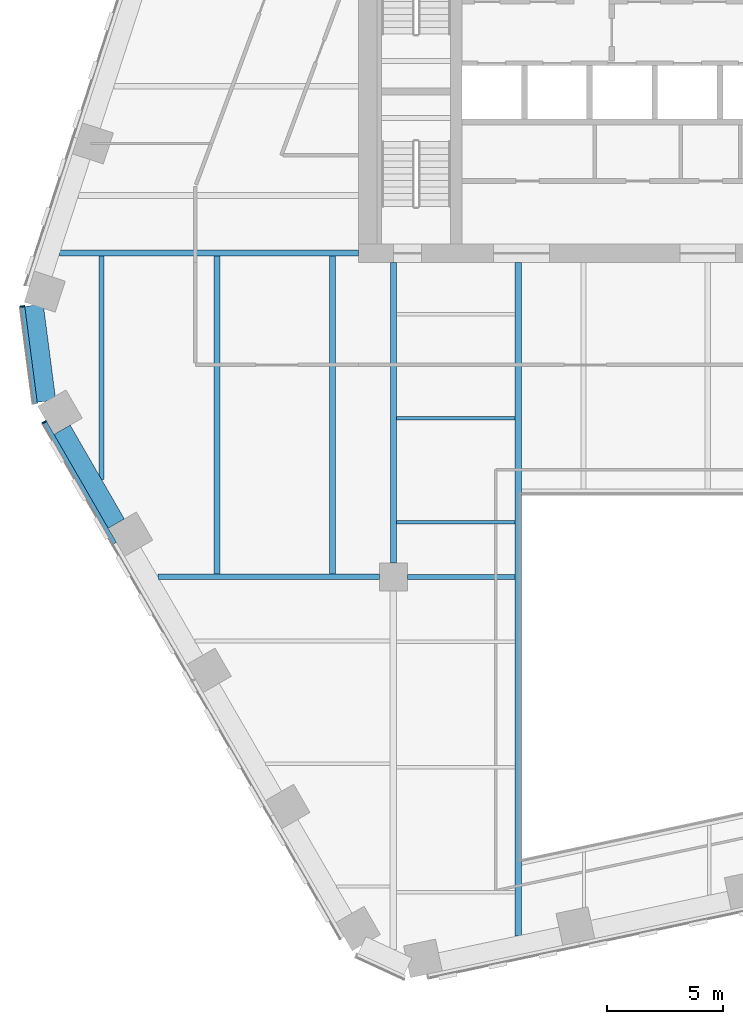
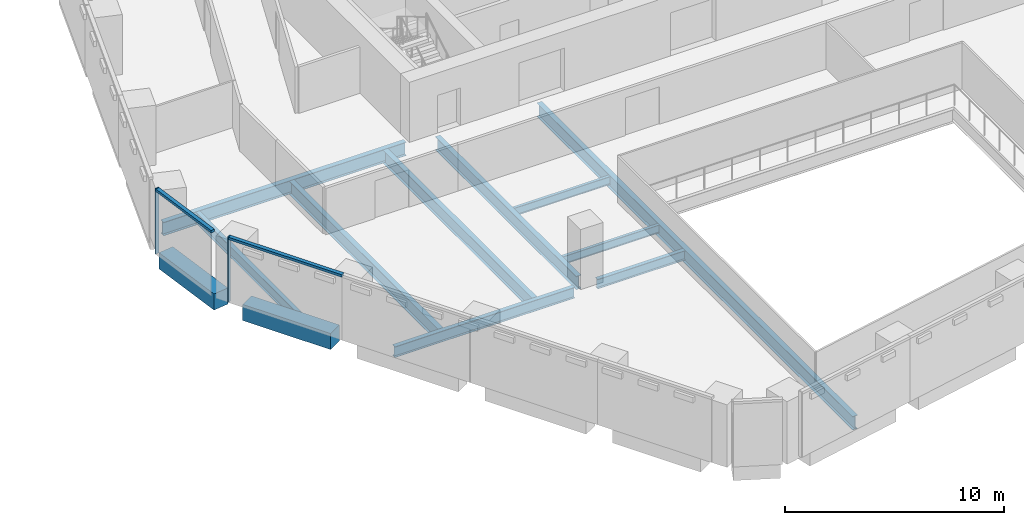
# One storey, part 3 of 17: 12 beams, 4 members, 2 elements without a shape of their own.
"""IFC4 building model written with IfcOpenShell, lengths in metres."""

from ifc_helpers import new_model, si_unit, direction, frame, origin, origin_2d, place, context, subcontext, project, spatial, rectangle, i_section, extrude, material, layer, layer_set, material_profile, profile_set, type_object, element, aggregate, save


model = new_model("IFC4")

# Units and contexts
model_context = context("Model", 3, precision=1e-05, world=origin(), true_north=direction((0.0, 1.0)))
body_context = subcontext(model_context, "Body", "Model", "MODEL_VIEW")
ifc_project = project(units=[si_unit("LENGTHUNIT", "METRE"), si_unit("AREAUNIT", "SQUARE_METRE"), si_unit("VOLUMEUNIT", "CUBIC_METRE"), si_unit("PLANEANGLEUNIT", "RADIAN"), si_unit("MASSUNIT", "GRAM", prefix="KILO")], contexts=[model_context])

# Site, building, storey
site_placement = place(None, origin())
site = spatial("IfcSite", under=ifc_project, at=site_placement, CompositionType="ELEMENT")
building_placement = place(site_placement, origin())
building = spatial("IfcBuilding", under=site, at=building_placement, Name="Isthmus Gate Tower", CompositionType="ELEMENT")
storey_placement = place(building_placement, frame((0.0, 0.0, 162.64990234375)))
storey = spatial("IfcBuildingStorey", under=building, at=storey_placement, Name="L40", CompositionType="ELEMENT", Elevation=162.64990234375)

# Curtain wall, member
ifc_material_1 = material(Name="Aluminium, pale champagne anodised", Category="aluminium")
ifc_layer = layer(ifc_material_1, 0.199951171875)
ifc_layer_set = layer_set([ifc_layer], Name="CW-1 UNITISED CURTAIN WALL 200 DEEP")
curtain_wall_type = type_object("IfcCurtainWallType", Name="CW-1 UNITISED CURTAIN WALL 200 DEEP", PredefinedType="NOTDEFINED", material=ifc_layer_set)
curtain_wall_1_placement = place(storey_placement, origin())
curtain_wall_1 = element("IfcCurtainWall", 1, at=curtain_wall_1_placement, inside=storey, type_object=curtain_wall_type, Name="CW-1 NW-SW L40", PredefinedType="NOTDEFINED")
ifc_material_2 = material(Name="Aluminium, pale champagne anodised", Category="aluminium")
ifc_material_profile_1 = material_profile(ifc_material_2, rectangle(XDim=0.06005859375, YDim=0.199951171875, at=origin_2d()), Name="60x200")
ifc_profile_set_1 = profile_set([ifc_material_profile_1], Name="Aluminium, pale champagne anodised")
member_type_1 = type_object("IfcMemberType", Name="CW-1 MULLION 60 X 200", PredefinedType="MULLION", material=ifc_profile_set_1)
member_1_placement = place(storey_placement, frame((-29.42724609375, -1.88525390625, 0.0), z_axis=(0.0, 0.0, 1.0), x_axis=(0.129164534, -0.991623175988, 0.0)))
member_1 = element("IfcMember", 2, at=member_1_placement, type_object=member_type_1, Name="CW-1 mullion", PredefinedType="MULLION", context=body_context, shape_type="SweptSolid", body=[
    extrude(rectangle(XDim=0.06005859375, YDim=0.199951171875, at=origin_2d()), origin(), (0.0, 0.0, 1.0), 3.650146484375),
])

curtain_wall_2_placement = place(storey_placement, origin())
curtain_wall_2 = element("IfcCurtainWall", 3, at=curtain_wall_2_placement, inside=storey, type_object=curtain_wall_type, Name="CW-1 SW L40", PredefinedType="NOTDEFINED")
member_2_placement = place(storey_placement, frame((-28.489501953125, -6.8544921875, 0.0), z_axis=(0.0, 0.0, 1.0), x_axis=(0.5, -0.866025403784, 0.0)))
member_2 = element("IfcMember", 4, at=member_2_placement, type_object=member_type_1, Name="CW-1 mullion", PredefinedType="MULLION", context=body_context, shape_type="SweptSolid", body=[
    extrude(rectangle(XDim=0.06005859375, YDim=0.199951171875, at=origin_2d()), origin(), (0.0, 0.0, 1.0), 3.650146484375),
])

# Member
ifc_material_3 = material(Name="Aluminium, pale champagne anodised", Category="aluminium")
ifc_material_profile_2 = material_profile(ifc_material_3, rectangle(XDim=0.199951171875, YDim=0.139892578125, at=origin_2d()), Name="200x140")
ifc_profile_set_2 = profile_set([ifc_material_profile_2], Name="Aluminium, pale champagne anodised")
member_type_2 = type_object("IfcMemberType", Name="CW-1 TRANSOM 200 X 140", PredefinedType="USERDEFINED", material=ifc_profile_set_2)
member_3_placement = place(storey_placement, frame((-29.42333984375, -1.9150390625, 3.580078125), z_axis=(0.129149481977, -0.991625136483, 0.0), x_axis=(0.991625136483, 0.129149481977, 0.0)))
member_3 = element("IfcMember", 5, at=member_3_placement, type_object=member_type_2, Name="CW-1 transom", ObjectType="TRANSOM", PredefinedType="USERDEFINED", context=body_context, shape_type="SweptSolid", body=[
    extrude(rectangle(XDim=0.199951171875, YDim=0.139892578125, at=origin_2d()), origin(), (0.0, 0.0, 1.0), 4.181396484375),
])

aggregate(curtain_wall_1, [member_1, member_3])

member_4_placement = place(storey_placement, frame((-28.474609375, -6.880615234375, 3.580078125), z_axis=(0.500014106551, -0.86601725921, 0.0), x_axis=(0.86601725921, 0.500014106551, 0.0)))
member_4 = element("IfcMember", 6, at=member_4_placement, type_object=member_type_2, Name="CW-1 transom", ObjectType="TRANSOM", PredefinedType="USERDEFINED", context=body_context, shape_type="SweptSolid", body=[
    extrude(rectangle(XDim=0.199951171875, YDim=0.139892578125, at=origin_2d()), origin(), (0.0, 0.0, 1.0), 5.989990234375),
])

aggregate(curtain_wall_2, [member_2, member_4])

# Beams
ifc_material_4 = material(Name="Concrete f'c 60 MPa", Category="concrete")
ifc_material_profile_3 = material_profile(ifc_material_4, rectangle(XDim=0.800048828125, YDim=0.89990234375, at=origin_2d()), Name="RC 800X900")
ifc_profile_set_3 = profile_set([ifc_material_profile_3], Name="Concrete f'c 60 MPa")
beam_type_1 = type_object("IfcBeamType", Name="RC SPANDREL 800 X 900", PredefinedType="SPANDREL", material=ifc_profile_set_3)
beam_1_placement = place(storey_placement, frame((-25.396484375, -11.2119140625, -0.449951171875), z_axis=(-0.500023913295, 0.866011596997, 0.0), x_axis=(-0.866011596997, -0.500023913295, 0.0)))
element("IfcBeam", 7, at=beam_1_placement, inside=storey, type_object=beam_type_1, Name="str-spandrel-L40-19", PredefinedType="SPANDREL", context=body_context, shape_type="SweptSolid", body=[
    extrude(rectangle(XDim=0.800048828125, YDim=0.89990234375, at=origin_2d()), origin(), (0.0, 0.0, 1.0), 4.650146484375),
])
beam_2_placement = place(storey_placement, frame((-28.392822265625, -5.955810546875, -0.449951171875), z_axis=(-0.129170777359, 0.991622362735, 0.0), x_axis=(-0.991622362735, -0.129170777359, 0.0)))
element("IfcBeam", 8, at=beam_2_placement, inside=storey, type_object=beam_type_1, Name="str-spandrel-L40-20", PredefinedType="SPANDREL", context=body_context, shape_type="SweptSolid", body=[
    extrude(rectangle(XDim=0.800048828125, YDim=0.89990234375, at=origin_2d()), origin(), (0.0, 0.0, 1.0), 4.15234375),
])
ifc_material_5 = material(Name="Structural steel ASTM A992 Gr 50", Category="steel")
ifc_material_profile_4 = material_profile(ifc_material_5, i_section(OverallWidth=0.15234375, OverallDepth=0.45068359375, WebThickness=0.0078125, FlangeThickness=0.010986328125, at=origin_2d()), Name="W18X35")
ifc_profile_set_4 = profile_set([ifc_material_profile_4], Name="Structural steel ASTM A992 Gr 50")
beam_type_2 = type_object("IfcBeamType", Name="STEEL FLOOR BEAM W18X35", PredefinedType="JOIST", material=ifc_profile_set_4)
for number, where, z_axis, x_axis, name in (
    (9, (-13.3681640625, -11.16259765625, -0.375244140625), (1.0, 0.0, 0.0), (0.0, 1.0, 0.0), "str-beam-L40-04-00"),
    (10, (-13.3681640625, -6.697509765625, -0.375244140625), (1.0, 0.0, 0.0), (0.0, 1.0, 0.0), "str-beam-L40-04-01"),
):
    element("IfcBeam", number, at=place(storey_placement, frame(where, z_axis=z_axis, x_axis=x_axis)), inside=storey, type_object=beam_type_2, Name=name, PredefinedType="JOIST", context=body_context, shape_type="SweptSolid", body=[
        extrude(i_section(OverallWidth=0.15234375, OverallDepth=0.45068359375, WebThickness=0.0078125, FlangeThickness=0.010986328125, at=origin_2d()), origin(), (0.0, 0.0, 1.0), 5.1015625),
    ])
ifc_material_6 = material(Name="Structural steel ASTM A992 Gr 50", Category="steel")
ifc_material_profile_5 = material_profile(ifc_material_6, i_section(OverallWidth=0.228515625, OverallDepth=0.603271484375, WebThickness=0.010986328125, FlangeThickness=0.014404296875, at=origin_2d()), Name="W24X68")
ifc_profile_set_5 = profile_set([ifc_material_profile_5], Name="Structural steel ASTM A992 Gr 50")
beam_type_3 = type_object("IfcBeamType", Name="STEEL FLOOR BEAM W24X68", PredefinedType="JOIST", material=ifc_profile_set_5)
beam_3_placement = place(storey_placement, frame((-26.028564453125, -9.317138671875, -0.451416015625), z_axis=(0.0, 1.0, 0.0), x_axis=(-1.0, 0.0, 0.0)))
element("IfcBeam", 11, at=beam_3_placement, inside=storey, type_object=beam_type_3, Name="str-beam-L40-00-00", PredefinedType="JOIST", context=body_context, shape_type="SweptSolid", body=[
    extrude(i_section(OverallWidth=0.228515625, OverallDepth=0.603271484375, WebThickness=0.010986328125, FlangeThickness=0.014404296875, at=origin_2d()), origin(), (0.0, 0.0, 1.0), 9.58544921875),
])
ifc_material_7 = material(Name="Structural steel ASTM A992 Gr 50", Category="steel")
ifc_material_profile_6 = material_profile(ifc_material_7, i_section(OverallWidth=0.263427734375, OverallDepth=0.749267578125, WebThickness=0.0126953125, FlangeThickness=0.015869140625, at=origin_2d()), Name="W30X90")
ifc_profile_set_6 = profile_set([ifc_material_profile_6], Name="Structural steel ASTM A992 Gr 50")
beam_type_4 = type_object("IfcBeamType", Name="STEEL FLOOR BEAM W30X90", PredefinedType="JOIST", material=ifc_profile_set_6)
for number, where, z_axis, x_axis, name in (
    (12, (-21.06982421875, -13.3857421875, -0.524658203125), (0.0, 1.0, 0.0), (-1.0, 0.0, 0.0), "str-beam-L40-00-01"),
    (13, (-16.111083984375, -13.3857421875, -0.524658203125), (0.0, 1.0, 0.0), (-1.0, 0.0, 0.0), "str-beam-L40-00-02"),
):
    element("IfcBeam", number, at=place(storey_placement, frame(where, z_axis=z_axis, x_axis=x_axis)), inside=storey, type_object=beam_type_4, Name=name, PredefinedType="JOIST", context=body_context, shape_type="SweptSolid", body=[
        extrude(i_section(OverallWidth=0.263427734375, OverallDepth=0.749267578125, WebThickness=0.0126953125, FlangeThickness=0.015869140625, at=origin_2d()), origin(), (0.0, 0.0, 1.0), 13.654052734375),
    ])
ifc_material_8 = material(Name="Structural steel ASTM A992 Gr 50", Category="steel")
ifc_material_profile_7 = material_profile(ifc_material_8, i_section(OverallWidth=0.20947265625, OverallDepth=0.533447265625, WebThickness=0.009521484375, FlangeThickness=0.015869140625, at=origin_2d()), Name="W21X62")
ifc_profile_set_7 = profile_set([ifc_material_profile_7], Name="Structural steel ASTM A992 Gr 50")
beam_type_5 = type_object("IfcBeamType", Name="STEEL GIRDER W21X62", PredefinedType="BEAM", material=ifc_profile_set_7)
beam_4_placement = place(storey_placement, frame((-12.89990234375, -13.5, -0.41650390625), z_axis=(1.0, 0.0, 0.0), x_axis=(0.0, 1.0, 0.0)))
element("IfcBeam", 14, at=beam_4_placement, inside=storey, type_object=beam_type_5, Name="str-girder-L40-02", PredefinedType="BEAM", context=body_context, shape_type="SweptSolid", body=[
    extrude(i_section(OverallWidth=0.20947265625, OverallDepth=0.533447265625, WebThickness=0.009521484375, FlangeThickness=0.015869140625, at=origin_2d()), origin(), (0.0, 0.0, 1.0), 4.63330078125),
])
ifc_material_9 = material(Name="Structural steel ASTM A992 Gr 50", Category="steel")
ifc_material_profile_8 = material_profile(ifc_material_9, i_section(OverallWidth=0.228515625, OverallDepth=0.6064453125, WebThickness=0.010986328125, FlangeThickness=0.017578125, at=origin_2d()), Name="W24X76")
ifc_profile_set_8 = profile_set([ifc_material_profile_8], Name="Structural steel ASTM A992 Gr 50")
beam_type_6 = type_object("IfcBeamType", Name="STEEL GIRDER W24X76", PredefinedType="BEAM", material=ifc_profile_set_8)
beam_5_placement = place(storey_placement, frame((-23.613525390625, -13.5, -0.453125), z_axis=(1.0, 0.0, 0.0), x_axis=(0.0, 1.0, 0.0)))
element("IfcBeam", 15, at=beam_5_placement, inside=storey, type_object=beam_type_6, Name="str-girder-L40-01", PredefinedType="BEAM", context=body_context, shape_type="SweptSolid", body=[
    extrude(i_section(OverallWidth=0.228515625, OverallDepth=0.6064453125, WebThickness=0.010986328125, FlangeThickness=0.017578125, at=origin_2d()), origin(), (0.0, 0.0, 1.0), 9.513427734375),
])
ifc_material_10 = material(Name="Structural steel ASTM A992 Gr 50", Category="steel")
ifc_material_profile_9 = material_profile(ifc_material_10, i_section(OverallWidth=0.263427734375, OverallDepth=0.749267578125, WebThickness=0.0126953125, FlangeThickness=0.015869140625, at=origin_2d()), Name="W30X90")
ifc_profile_set_9 = profile_set([ifc_material_profile_9], Name="Structural steel ASTM A992 Gr 50")
beam_type_7 = type_object("IfcBeamType", Name="STEEL GIRDER W30X90", PredefinedType="BEAM", material=ifc_profile_set_9)
beam_6_placement = place(storey_placement, frame((-13.5, -12.89990234375, -0.524658203125), z_axis=(0.0, 1.0, 0.0), x_axis=(-1.0, 0.0, 0.0)))
element("IfcBeam", 16, at=beam_6_placement, inside=storey, type_object=beam_type_7, Name="str-girder-L40-08", PredefinedType="BEAM", context=body_context, shape_type="SweptSolid", body=[
    extrude(i_section(OverallWidth=0.263427734375, OverallDepth=0.749267578125, WebThickness=0.0126953125, FlangeThickness=0.015869140625, at=origin_2d()), origin(), (0.0, 0.0, 1.0), 12.89990234375),
])
beam_7_placement = place(storey_placement, frame((-15.0, 0.39990234375, -0.524658203125), z_axis=(-1.0, 0.0, 0.0), x_axis=(0.0, -1.0, 0.0)))
element("IfcBeam", 17, at=beam_7_placement, inside=storey, type_object=beam_type_7, Name="str-girder-L40-13", PredefinedType="BEAM", context=body_context, shape_type="SweptSolid", body=[
    extrude(i_section(OverallWidth=0.263427734375, OverallDepth=0.749267578125, WebThickness=0.0126953125, FlangeThickness=0.015869140625, at=origin_2d()), origin(), (0.0, 0.0, 1.0), 12.826416015625),
])
ifc_material_11 = material(Name="Structural steel ASTM A992 Gr 50", Category="steel")
ifc_material_profile_10 = material_profile(ifc_material_11, i_section(OverallWidth=0.2666015625, OverallDepth=0.7587890625, WebThickness=0.014404296875, FlangeThickness=0.01904296875, at=origin_2d()), Name="W30X108")
ifc_profile_set_10 = profile_set([ifc_material_profile_10], Name="Structural steel ASTM A992 Gr 50")
beam_type_8 = type_object("IfcBeamType", Name="STEEL TRIMMER W30X108", PredefinedType="BEAM", material=ifc_profile_set_10)
beam_8_placement = place(storey_placement, frame((-8.13330078125, 0.0, -0.529296875), z_axis=(0.0, -1.0, 0.0), x_axis=(1.0, 0.0, 0.0)))
element("IfcBeam", 18, at=beam_8_placement, inside=storey, type_object=beam_type_8, Name="str-trimmer-L40-02", PredefinedType="BEAM", context=body_context, shape_type="SweptSolid", body=[
    extrude(i_section(OverallWidth=0.2666015625, OverallDepth=0.7587890625, WebThickness=0.014404296875, FlangeThickness=0.01904296875, at=origin_2d()), origin(), (0.0, 0.0, 1.0), 28.910888671875),
])

save(model, "model.ifc")
